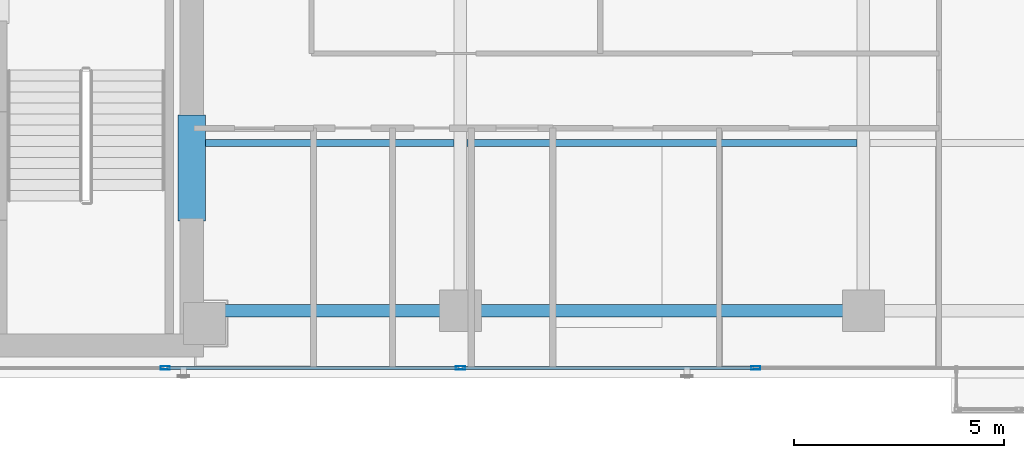
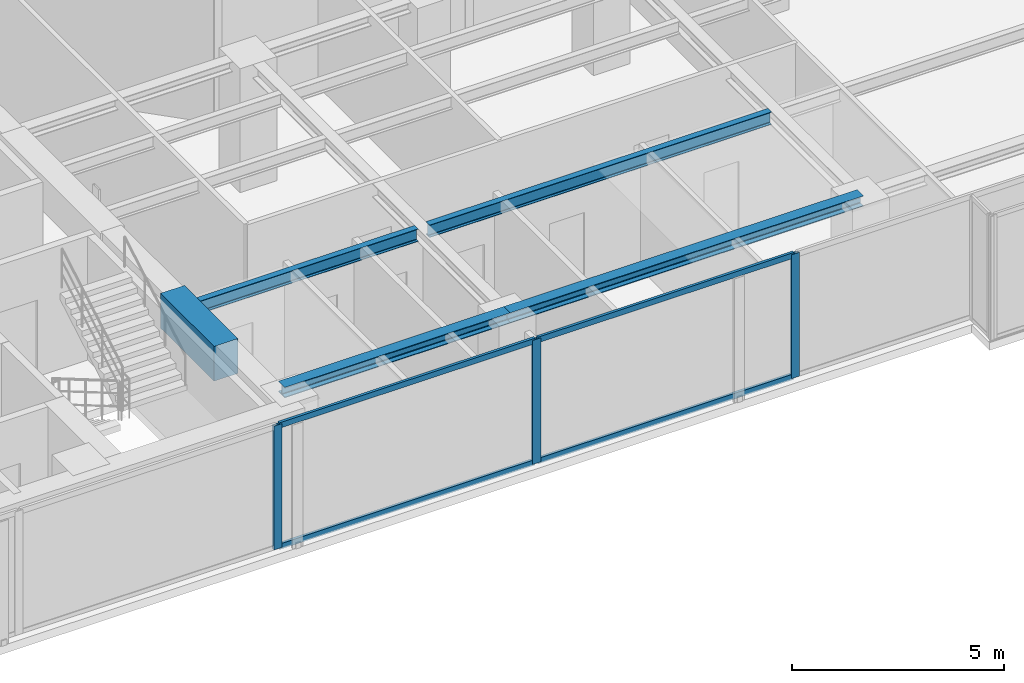
# One storey, part 4 of 23: 7 members, 5 beams, 1 element without a shape of its own.
"""IFC4 building model written with IfcOpenShell, lengths in metres."""

from ifc_helpers import new_model, si_unit, direction, frame, origin, origin_with_axes, origin_2d, place, context, subcontext, project, spatial, rectangle, hollow_rectangle, i_section, extrude, source, transform, mapped, material, layer, layer_set, material_profile, profile_set, type_object, element, aggregate, save


model = new_model("IFC4")

# Units and contexts
model_context = context("Model", 3, precision=1e-05, world=origin(), true_north=direction((0.0, 1.0)))
body_context = subcontext(model_context, "Body", "Model", "MODEL_VIEW")
ifc_project = project(units=[si_unit("LENGTHUNIT", "METRE"), si_unit("AREAUNIT", "SQUARE_METRE"), si_unit("VOLUMEUNIT", "CUBIC_METRE"), si_unit("PLANEANGLEUNIT", "RADIAN"), si_unit("MASSUNIT", "GRAM", prefix="KILO")], contexts=[model_context])

# Site, building, storey
site_placement = place(None, origin())
site = spatial("IfcSite", under=ifc_project, at=site_placement, CompositionType="ELEMENT")
building_placement = place(site_placement, origin())
building = spatial("IfcBuilding", under=site, at=building_placement, Name="Kolvaren Waterfront Exchange", CompositionType="ELEMENT")
storey_placement = place(building_placement, frame((0.0, 0.0, 242.5)))
storey = spatial("IfcBuildingStorey", under=building, at=storey_placement, Name="L62", CompositionType="ELEMENT", Elevation=242.5)

# Beams
ifc_material_1 = material(Name="Steel S355", Category="steel")
ifc_material_profile_1 = material_profile(ifc_material_1, i_section(OverallWidth=0.300048828125, OverallDepth=0.300048828125, WebThickness=0.010986328125, FlangeThickness=0.01904296875, FilletRadius=0.027099609375, at=origin_2d()), Name="HEB300")
ifc_profile_set_1 = profile_set([ifc_material_profile_1], Name="Steel S355")
beam_type_1 = type_object("IfcBeamType", Name="STR-BM-HEB300", PredefinedType="SPANDREL", material=ifc_profile_set_1)
beam_1_placement = place(storey_placement, frame((21.074951171875, 5.199951171875, 3.409912109375), z_axis=(1.0, 0.0, 0.0), x_axis=(0.0, 1.0, 0.0)))
element("IfcBeam", 1, at=beam_1_placement, inside=storey, type_object=beam_type_1, Name="L62 east-arm spandrel S1", PredefinedType="SPANDREL", context=body_context, shape_type="SweptSolid", body=[
    extrude(i_section(OverallWidth=0.300048828125, OverallDepth=0.300048828125, WebThickness=0.010986328125, FlangeThickness=0.01904296875, FilletRadius=0.027099609375, at=origin_2d()), origin(), (0.0, 0.0, 1.0), 6.125),
])
beam_2_placement = place(storey_placement, frame((27.199951171875, 5.199951171875, 3.409912109375), z_axis=(1.0, 0.0, 0.0), x_axis=(0.0, 1.0, 0.0)))
element("IfcBeam", 2, at=beam_2_placement, inside=storey, type_object=beam_type_1, Name="L62 east-arm spandrel S2", PredefinedType="SPANDREL", context=body_context, shape_type="SweptSolid", body=[
    extrude(i_section(OverallWidth=0.300048828125, OverallDepth=0.300048828125, WebThickness=0.010986328125, FlangeThickness=0.01904296875, FilletRadius=0.027099609375, at=origin_2d()), origin(), (0.0, 0.0, 1.0), 9.60009765625),
])
ifc_material_profile_2 = material_profile(ifc_material_1, i_section(OverallWidth=0.169921875, OverallDepth=0.360107421875, WebThickness=0.008056640625, FlangeThickness=0.0126953125, FilletRadius=0.01806640625, at=origin_2d()), Name="IPE360")
ifc_profile_set_2 = profile_set([ifc_material_profile_2], Name="Steel S355")
beam_type_2 = type_object("IfcBeamType", Name="STR-BM-IPE360", PredefinedType="JOIST", material=ifc_profile_set_2)
beam_3_placement = place(storey_placement, frame((21.10009765625, 9.199951171875, 3.3798828125), z_axis=(1.0, 0.0, 0.0), x_axis=(0.0, 1.0, 0.0)))
element("IfcBeam", 3, at=beam_3_placement, inside=storey, type_object=beam_type_2, Name="L62 east-arm composite joist 1B", PredefinedType="JOIST", context=body_context, shape_type="SweptSolid", body=[
    extrude(i_section(OverallWidth=0.169921875, OverallDepth=0.360107421875, WebThickness=0.008056640625, FlangeThickness=0.0126953125, FilletRadius=0.01806640625, at=origin_2d()), origin(), (0.0, 0.0, 1.0), 5.947998046875),
])
beam_4_placement = place(storey_placement, frame((27.35205078125, 9.199951171875, 3.3798828125), z_axis=(1.0, 0.0, 0.0), x_axis=(0.0, 1.0, 0.0)))
element("IfcBeam", 4, at=beam_4_placement, inside=storey, type_object=beam_type_2, Name="L62 east-arm composite joist 2B", PredefinedType="JOIST", context=body_context, shape_type="SweptSolid", body=[
    extrude(i_section(OverallWidth=0.169921875, OverallDepth=0.360107421875, WebThickness=0.008056640625, FlangeThickness=0.0126953125, FilletRadius=0.01806640625, at=origin_2d()), origin(), (0.0, 0.0, 1.0), 9.2958984375),
])
ifc_material_2 = material(Name="Concrete C60/75", Category="concrete")
ifc_material_profile_3 = material_profile(ifc_material_2, rectangle(XDim=0.64990234375, YDim=1.0, at=origin_2d()), Name="RC-CB-1000x650")
ifc_profile_set_3 = profile_set([ifc_material_profile_3], Name="Concrete C60/75")
beam_type_3 = type_object("IfcBeamType", Name="STR-CB-1000", PredefinedType="SPANDREL", material=ifc_profile_set_3)
beam_5_placement = place(storey_placement, frame((20.800048828125, 7.340087890625, 3.06005859375), z_axis=(0.0, 1.0, 0.0), x_axis=(-1.0, 0.0, 0.0)))
element("IfcBeam", 5, at=beam_5_placement, inside=storey, type_object=beam_type_3, Name="L62 core coupling beam 1", PredefinedType="SPANDREL", context=body_context, shape_type="SweptSolid", body=[
    extrude(rectangle(XDim=0.64990234375, YDim=1.0, at=origin_2d()), origin(), (0.0, 0.0, 1.0), 2.52001953125),
])

# Curtain wall, members
ifc_material_3 = material(Name="Anodised bronze aluminium 6063-T6", Category="aluminium")
ifc_layer = layer(ifc_material_3, 0.219970703125, Name="Anodised bronze aluminium 6063-T6")
ifc_layer_set = layer_set([ifc_layer], Name="Anodised bronze aluminium 6063-T6")
curtain_wall_type = type_object("IfcCurtainWallType", Name="ARC-CW-SYS1", PredefinedType="USERDEFINED", material=ifc_layer_set)
curtain_wall_placement = place(storey_placement, origin())
curtain_wall = element("IfcCurtainWall", 6, at=curtain_wall_placement, inside=storey, type_object=curtain_wall_type, Name="L62 stick curtain wall CW1 (CW-L62-S)", ObjectType="STICK CURTAIN WALL", PredefinedType="USERDEFINED")
ifc_material_4 = material(Name="Anodised aluminium 6063-T6", Category="aluminium")
ifc_material_profile_4 = material_profile(ifc_material_4, hollow_rectangle(XDim=0.080078125, YDim=0.219970703125, WallThickness=0.0048828125, at=origin_2d()), Name="ALU-MUL-220x80x5")
ifc_profile_set_4 = profile_set([ifc_material_profile_4], Name="Anodised aluminium 6063-T6")
member_type_1 = type_object("IfcMemberType", Name="ARC-CWM-220", PredefinedType="MULLION", material=ifc_profile_set_4)
shared_shape_1 = source(origin_with_axes(), body_context, "Body", "SweptSolid", [
    extrude(hollow_rectangle(XDim=0.080078125, YDim=0.219970703125, WallThickness=0.0048828125, at=origin_2d()), origin(), (0.0, 0.0, 1.0), 3.56005859375),
])
member_1_placement = place(storey_placement, frame((20.166748046875, 3.840087890625, 0.0), z_axis=(0.0, 0.0, 1.0), x_axis=(0.0, 1.0, 0.0)))
member_1 = element("IfcMember", 7, at=member_1_placement, type_object=member_type_1, Name="CW1 mullion 3", PredefinedType="MULLION", context=body_context, shape_type="MappedRepresentation", body=[
    mapped(shared_shape_1, transform((0.0, 0.0, 0.0), x_axis=(1.0, 0.0, 0.0), y_axis=(0.0, 1.0, 0.0), z_axis=(0.0, 0.0, 1.0), scale=1.0)),
])
member_2_placement = place(storey_placement, frame((27.199951171875, 3.840087890625, 0.0), z_axis=(0.0, 0.0, 1.0), x_axis=(0.0, 1.0, 0.0)))
member_2 = element("IfcMember", 8, at=member_2_placement, type_object=member_type_1, Name="CW1 mullion 4", PredefinedType="MULLION", context=body_context, shape_type="MappedRepresentation", body=[
    mapped(shared_shape_1, transform((0.0, 0.0, 0.0), x_axis=(1.0, 0.0, 0.0), y_axis=(0.0, 1.0, 0.0), z_axis=(0.0, 0.0, 1.0), scale=1.0)),
])
member_3_placement = place(storey_placement, frame((34.2333984375, 3.840087890625, 0.0), z_axis=(0.0, 0.0, 1.0), x_axis=(0.0, 1.0, 0.0)))
member_3 = element("IfcMember", 9, at=member_3_placement, type_object=member_type_1, Name="CW1 mullion 5", PredefinedType="MULLION", context=body_context, shape_type="MappedRepresentation", body=[
    mapped(shared_shape_1, transform((0.0, 0.0, 0.0), x_axis=(1.0, 0.0, 0.0), y_axis=(0.0, 1.0, 0.0), z_axis=(0.0, 0.0, 1.0), scale=1.0)),
])
ifc_material_profile_5 = material_profile(ifc_material_4, hollow_rectangle(XDim=0.074951171875, YDim=0.159912109375, WallThickness=0.00439453125, at=origin_2d()), Name="ALU-TRN-160x75x4.5")
ifc_profile_set_5 = profile_set([ifc_material_profile_5], Name="Anodised aluminium 6063-T6")
member_type_2 = type_object("IfcMemberType", Name="ARC-CWT-160", PredefinedType="USERDEFINED", material=ifc_profile_set_5)
shared_shape_2 = source(origin_with_axes(), body_context, "Body", "SweptSolid", [
    extrude(hollow_rectangle(XDim=0.074951171875, YDim=0.159912109375, WallThickness=0.00439453125, at=origin_2d()), origin(), (0.0, 0.0, 1.0), 6.953369140625),
])
member_4_placement = place(storey_placement, frame((27.239990234375, 3.840087890625, 0.03759765625), z_axis=(1.0, 0.0, 0.0), x_axis=(0.0, 1.0, 0.0)))
member_4 = element("IfcMember", 10, at=member_4_placement, type_object=member_type_2, Name="CW1 transom 4.1", ObjectType="TRANSOM", PredefinedType="USERDEFINED", context=body_context, shape_type="MappedRepresentation", body=[
    mapped(shared_shape_2, transform((0.0, 0.0, 0.0), x_axis=(1.0, 0.0, 0.0), y_axis=(0.0, 1.0, 0.0), z_axis=(0.0, 0.0, 1.0), scale=1.0)),
])
member_5_placement = place(storey_placement, frame((27.239990234375, 3.840087890625, 3.5224609375), z_axis=(1.0, 0.0, 0.0), x_axis=(0.0, 1.0, 0.0)))
member_5 = element("IfcMember", 11, at=member_5_placement, type_object=member_type_2, Name="CW1 transom 4.2", ObjectType="TRANSOM", PredefinedType="USERDEFINED", context=body_context, shape_type="MappedRepresentation", body=[
    mapped(shared_shape_2, transform((0.0, 0.0, 0.0), x_axis=(1.0, 0.0, 0.0), y_axis=(0.0, 1.0, 0.0), z_axis=(0.0, 0.0, 1.0), scale=1.0)),
])
shared_shape_3 = source(origin_with_axes(), body_context, "Body", "SweptSolid", [
    extrude(hollow_rectangle(XDim=0.074951171875, YDim=0.159912109375, WallThickness=0.00439453125, at=origin_2d()), origin(), (0.0, 0.0, 1.0), 6.953125),
])
member_6_placement = place(storey_placement, frame((20.206787109375, 3.840087890625, 0.03759765625), z_axis=(1.0, 0.0, 0.0), x_axis=(0.0, 1.0, 0.0)))
member_6 = element("IfcMember", 12, at=member_6_placement, type_object=member_type_2, Name="CW1 transom 3.1", ObjectType="TRANSOM", PredefinedType="USERDEFINED", context=body_context, shape_type="MappedRepresentation", body=[
    mapped(shared_shape_3, transform((0.0, 0.0, 0.0), x_axis=(1.0, 0.0, 0.0), y_axis=(0.0, 1.0, 0.0), z_axis=(0.0, 0.0, 1.0), scale=1.0)),
])
member_7_placement = place(storey_placement, frame((20.206787109375, 3.840087890625, 3.5224609375), z_axis=(1.0, 0.0, 0.0), x_axis=(0.0, 1.0, 0.0)))
member_7 = element("IfcMember", 13, at=member_7_placement, type_object=member_type_2, Name="CW1 transom 3.2", ObjectType="TRANSOM", PredefinedType="USERDEFINED", context=body_context, shape_type="MappedRepresentation", body=[
    mapped(shared_shape_3, transform((0.0, 0.0, 0.0), x_axis=(1.0, 0.0, 0.0), y_axis=(0.0, 1.0, 0.0), z_axis=(0.0, 0.0, 1.0), scale=1.0)),
])
aggregate(curtain_wall, [member_1, member_2, member_3, member_6, member_7, member_4, member_5])

save(model, "model.ifc")
